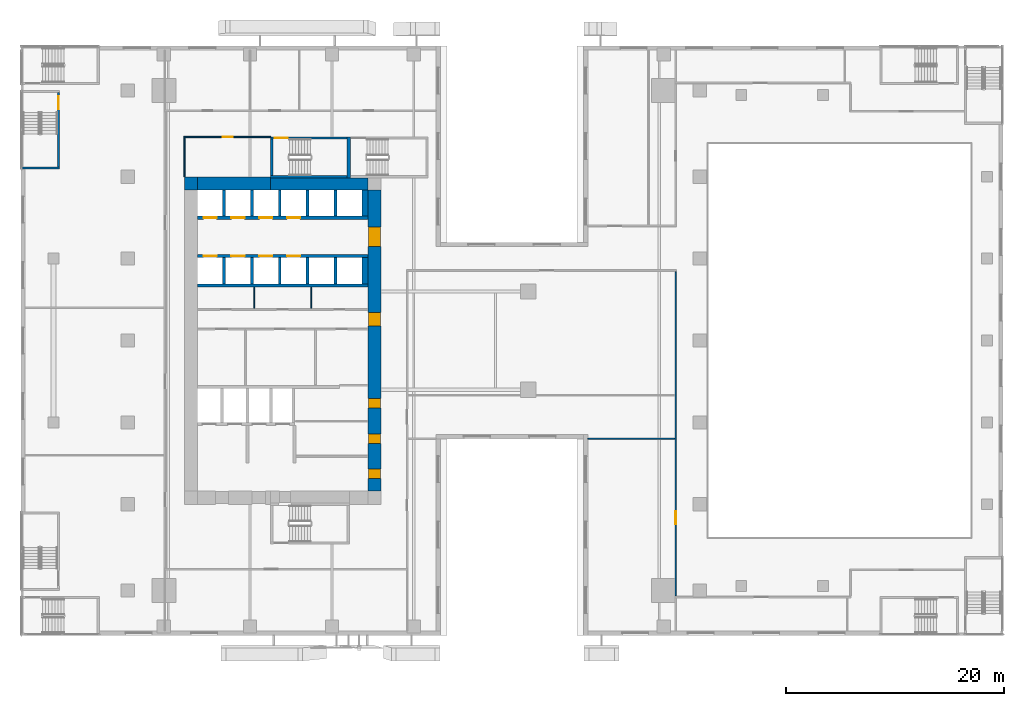
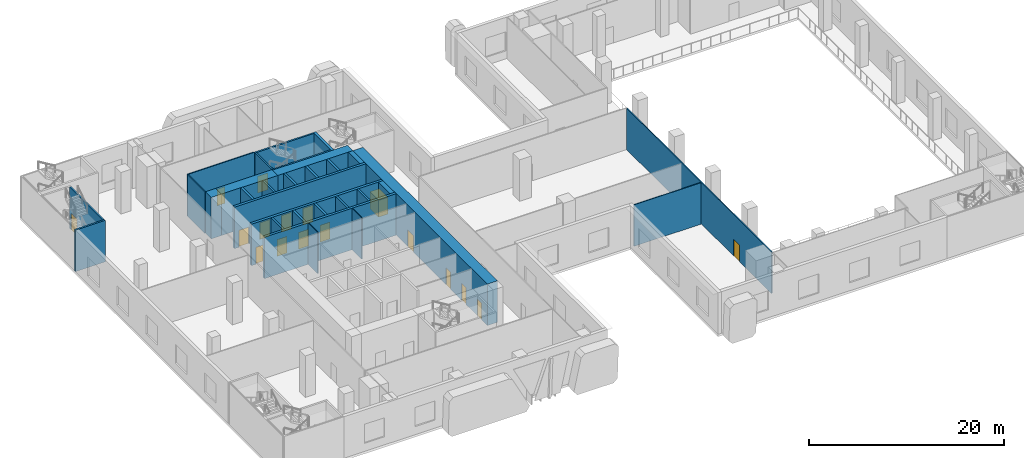
# One storey, part 12 of 23: 31 walls, 17 doors, 17 openings.
"""IFC4 building model written with IfcOpenShell, lengths in metres."""

import ifcopenshell
import ifcopenshell.guid

model = None  # the IFC model being written
_history = None  # IfcOwnerHistory: only IFC2X3 demands one
_inside = {}  # id of a spatial element -> (the spatial element, [elements in it])
_under = {}  # id of a project, library or spatial element -> (it, [spatial elements below it])
_declared = {}  # id of a project -> (the project, [libraries it declares])
_typed = {}  # id of a type object -> (the type object, [elements of that type])
_made_of = {}  # id of a material, layer set ... -> (it, [elements and type objects made of it])


def new_model(schema):
    """Start an empty IFC model of exactly this schema.

    Asked for "IFC4X3", IfcOpenShell would pick the latest addendum, in which some entities
    have other attributes; the version numbers below select the first issue.
    IFC2X3 requires an IfcOwnerHistory on every rooted entity: one is made here for all.
    """
    global model, _history
    if schema == "IFC4X3":
        model = ifcopenshell.file(schema_version=(4, 3, 0, 0))
    else:
        model = ifcopenshell.file(schema=schema)
    _inside.clear()
    _under.clear()
    _declared.clear()
    _typed.clear()
    _made_of.clear()
    _history = None
    if model.schema == "IFC2X3":
        org = make("IfcOrganization", Name="unknown")
        user = make(
            "IfcPersonAndOrganization",
            ThePerson=make("IfcPerson", FamilyName="unknown"),
            TheOrganization=org,
        )
        app = make(
            "IfcApplication",
            ApplicationDeveloper=org,
            Version="unknown",
            ApplicationFullName="unknown",
            ApplicationIdentifier="unknown",
        )
        _history = make(
            "IfcOwnerHistory",
            OwningUser=user,
            OwningApplication=app,
            ChangeAction="ADDED",
            CreationDate=0,
        )
    return model


def make(cls, **values):
    """One entity of the class cls with the attributes given. An attribute that is None is left unset."""
    return model.create_entity(
        cls, **{name: value for name, value in values.items() if value is not None}
    )


def rooted(cls, **values):
    """An entity with a GlobalId (a new one), such as an element, a storey or a relation."""
    return make(cls, GlobalId=ifcopenshell.guid.new(), OwnerHistory=_history, **values)


def si_unit(unit_type, name, prefix=None):
    """IfcSIUnit, for example si_unit("LENGTHUNIT", "METRE", prefix="MILLI")."""
    return make("IfcSIUnit", UnitType=unit_type, Prefix=prefix, Name=name)


def assignment(units):
    """IfcUnitAssignment: the units of a project."""
    return None if units is None else make("IfcUnitAssignment", Units=units)


def point(xyz):
    """IfcCartesianPoint."""
    return None if xyz is None else make("IfcCartesianPoint", Coordinates=xyz)


def direction(xyz):
    """IfcDirection."""
    return None if xyz is None else make("IfcDirection", DirectionRatios=xyz)


def frame(location, z_axis=None, x_axis=None):
    """IfcAxis2Placement3D, a coordinate frame: its origin and axes. An axis left out is left unset."""
    return make(
        "IfcAxis2Placement3D",
        Location=point(location),
        Axis=direction(z_axis),
        RefDirection=direction(x_axis),
    )


def frame_2d(location, x_axis=None):
    """IfcAxis2Placement2D, a coordinate frame in the plane: its origin and x axis."""
    return make(
        "IfcAxis2Placement2D", Location=point(location), RefDirection=direction(x_axis)
    )


def origin():
    """The frame at (0, 0, 0) with its axes left unset."""
    return frame((0.0, 0.0, 0.0))


def place(relative_to, where):
    """IfcLocalPlacement: puts the frame where relative to a parent placement (None: the world)."""
    return make(
        "IfcLocalPlacement", PlacementRelTo=relative_to, RelativePlacement=where
    )


def context(
    kind, dimensions, precision=None, world=None, true_north=None, identifier=None
):
    """IfcGeometricRepresentationContext, for example the 3D "Model" context."""
    return make(
        "IfcGeometricRepresentationContext",
        ContextIdentifier=identifier,
        ContextType=kind,
        CoordinateSpaceDimension=dimensions,
        Precision=precision,
        WorldCoordinateSystem=world,
        TrueNorth=true_north,
    )


def subcontext(parent, identifier, kind, view, scale=None):
    """IfcGeometricRepresentationSubContext, for example "Body" below "Model"."""
    return make(
        "IfcGeometricRepresentationSubContext",
        ContextIdentifier=identifier,
        ContextType=kind,
        ParentContext=parent,
        TargetScale=scale,
        TargetView=view,
    )


def project(units=None, contexts=None):
    """IfcProject with its units and contexts."""
    return rooted(
        "IfcProject",
        Name="project",
        RepresentationContexts=contexts,
        UnitsInContext=assignment(units),
    )


def spatial(cls, under=None, at=None, **own):
    """A site, building, storey or space (cls), placed at a placement, below another one or the project."""
    s = rooted(cls, ObjectPlacement=at, **own)
    if under is not None:
        _under.setdefault(under.id(), (under, []))[1].append(s)
    return s


def profile(cls, at=None, kind="AREA", **sizes):
    """A parametric profile (cls). Its sizes go by their IFC names, for example OverallWidth=200.0."""
    return make(cls, ProfileType=kind, Position=at, **sizes)


def rectangle(**sizes):
    """IfcRectangleProfileDef."""
    return profile("IfcRectangleProfileDef", **sizes)


def extrude(swept, where, along, depth):
    """IfcExtrudedAreaSolid: the profile swept, set in the frame where, extruded along a direction by depth."""
    return make(
        "IfcExtrudedAreaSolid",
        SweptArea=swept,
        Position=where,
        ExtrudedDirection=direction(along),
        Depth=depth,
    )


def shape(context_of_items, identifier, shape_type, items):
    """IfcShapeRepresentation: the items that make up one representation, for example the "Body"."""
    return make(
        "IfcShapeRepresentation",
        ContextOfItems=context_of_items,
        RepresentationIdentifier=identifier,
        RepresentationType=shape_type,
        Items=items,
    )


def source(mapping_origin, context_of_items, identifier, shape_type, items):
    """IfcRepresentationMap: a shape defined once, which mapped items show again and again."""
    return make(
        "IfcRepresentationMap",
        MappingOrigin=mapping_origin,
        MappedRepresentation=shape(context_of_items, identifier, shape_type, items),
    )


def transform(
    local_origin,
    x_axis=None,
    y_axis=None,
    z_axis=None,
    scale=None,
    scale2=None,
    scale3=None,
    uniform=True,
):
    """IfcCartesianTransformationOperator3D, or its non-uniform kind. x_axis, y_axis, z_axis: its Axis1, 2, 3."""
    if uniform:
        return make(
            "IfcCartesianTransformationOperator3D",
            Axis1=direction(x_axis),
            Axis2=direction(y_axis),
            LocalOrigin=point(local_origin),
            Scale=scale,
            Axis3=direction(z_axis),
        )
    return make(
        "IfcCartesianTransformationOperator3DnonUniform",
        Axis1=direction(x_axis),
        Axis2=direction(y_axis),
        LocalOrigin=point(local_origin),
        Scale=scale,
        Axis3=direction(z_axis),
        Scale2=scale2,
        Scale3=scale3,
    )


def mapped(mapping_source, mapping_target):
    """IfcMappedItem: shows the shape of a source again, moved by a transform."""
    return make(
        "IfcMappedItem", MappingSource=mapping_source, MappingTarget=mapping_target
    )


def material(Name=None, Category=None):
    """IfcMaterial."""
    return make("IfcMaterial", Name=Name, Category=Category)


def layer(
    of_material, thickness, ventilated=None, Name=None, Category=None, Priority=None
):
    """IfcMaterialLayer: one layer of a wall or slab, of a material (None: an air gap)."""
    return make(
        "IfcMaterialLayer",
        Material=of_material,
        LayerThickness=thickness,
        IsVentilated=ventilated,
        Name=Name,
        Category=Category,
        Priority=Priority,
    )


def layer_set(layers, Name=None):
    """IfcMaterialLayerSet."""
    return make("IfcMaterialLayerSet", MaterialLayers=layers, LayerSetName=Name)


def made_of(thing, what):
    """Note that an element or type object is made of a material, layer set ...; save() writes the relation."""
    if what is not None:
        _made_of.setdefault(what.id(), (what, []))[1].append(thing)
    return thing


def type_object(cls, material=None, **own):
    """A type object (cls), such as IfcWallType, which elements share."""
    return made_of(rooted(cls, **own), material)


def element(
    cls,
    number,
    at=None,
    inside=None,
    cuts=None,
    type_object=None,
    material=None,
    context=None,
    identifier="Body",
    shape_type=None,
    held_by="IfcProductDefinitionShape",
    body=None,
    shapes=None,
    **own,
):
    """One element of the class cls, such as IfcWall. Its Tag is "e" and its number.

    at: its placement. inside: the storey or other place that contains it. cuts: it is an
    opening in that element (IfcRelVoidsElement). A single representation is given by context,
    identifier, shape_type and body (its items); several are given by shapes. held_by: the class
    of the entity that holds the representations. save() writes the other relations.
    """
    e = rooted(cls, Tag="e%d" % number, ObjectPlacement=at, **own)
    if body is not None:
        shapes = [shape(context, identifier, shape_type, body)]
    if shapes is not None:
        e.Representation = make(held_by, Representations=shapes)
    if inside is not None:
        _inside.setdefault(inside.id(), (inside, []))[1].append(e)
    if cuts is not None:
        rooted(
            "IfcRelVoidsElement", RelatingBuildingElement=cuts, RelatedOpeningElement=e
        )
    if type_object is not None:
        _typed.setdefault(type_object.id(), (type_object, []))[1].append(e)
    return made_of(e, material)


def fill(opening, filler):
    """IfcRelFillsElement: the door or window that sits in an opening."""
    return rooted(
        "IfcRelFillsElement",
        RelatingOpeningElement=opening,
        RelatedBuildingElement=filler,
    )


def aggregate(whole, parts):
    """IfcRelAggregates: a whole, such as a stair, and the parts it consists of."""
    return rooted("IfcRelAggregates", RelatingObject=whole, RelatedObjects=parts)


def save(model, path):
    """Write the relations noted so far, then the file.

    IfcRelAggregates (storeys below a building ...), IfcRelContainedInSpatialStructure (elements
    in a storey), IfcRelDefinesByType, IfcRelAssociatesMaterial and IfcRelDeclares: one each for
    every whole, place, type object, material and project.
    """
    for whole, parts in _under.values():
        aggregate(whole, parts)
    for where, things in _inside.values():
        rooted(
            "IfcRelContainedInSpatialStructure",
            RelatedElements=things,
            RelatingStructure=where,
        )
    for kind, things in _typed.values():
        rooted("IfcRelDefinesByType", RelatedObjects=things, RelatingType=kind)
    for what, things in _made_of.values():
        rooted("IfcRelAssociatesMaterial", RelatedObjects=things, RelatingMaterial=what)
    for by, libraries in _declared.values():
        rooted("IfcRelDeclares", RelatingContext=by, RelatedDefinitions=libraries)
    model.write(path)


model = new_model("IFC4")

# Units and contexts
model_context = context("Model", 3, precision=1e-05, world=origin(), true_north=direction((0.0, 1.0)))
body_context = subcontext(model_context, "Body", "Model", "MODEL_VIEW")
ifc_project = project(units=[si_unit("LENGTHUNIT", "METRE"), si_unit("AREAUNIT", "SQUARE_METRE"), si_unit("VOLUMEUNIT", "CUBIC_METRE"), si_unit("PLANEANGLEUNIT", "RADIAN"), si_unit("MASSUNIT", "GRAM", prefix="KILO")], contexts=[model_context])

# Site, building, storey
site_placement = place(None, origin())
site = spatial("IfcSite", under=ifc_project, at=site_placement, CompositionType="ELEMENT")
building_placement = place(site_placement, origin())
building = spatial("IfcBuilding", under=site, at=building_placement, Name="Khomas Fold Tower", CompositionType="ELEMENT")
storey_placement = place(building_placement, frame((0.0, 0.0, 7.5)))
storey = spatial("IfcBuildingStorey", under=building, at=storey_placement, Name="L01", CompositionType="ELEMENT", Elevation=7.5)

# Walls
ifc_material_1 = material(Name="Concrete C70/85", Category="concrete")
ifc_layer_1 = layer(ifc_material_1, 1.199951171875)
ifc_layer_set_1 = layer_set([ifc_layer_1], Name="Concrete C70/85")
wall_type_1 = type_object("IfcWallType", Name="Core wall 1200", PredefinedType="SHEAR", material=ifc_layer_set_1)
shared_shape_1 = source(origin(), body_context, "Body", "SweptSolid", [
    extrude(rectangle(XDim=6.699951171875, YDim=1.199951171875, at=frame_2d((3.35009765625, 0.0))), origin(), (0.0, 0.0, 1.0), 5.199951171875),
])
wall_1_placement = place(storey_placement, frame((7.199951171875, 41.39990234375, 0.0), z_axis=(0.0, 0.0, 1.0), x_axis=(1.0, 0.0, 0.0)))
element("IfcWall", 1, at=wall_1_placement, inside=storey, type_object=wall_type_1, Name="Core wall CW-L-N-B2", PredefinedType="SHEAR", context=body_context, shape_type="MappedRepresentation", body=[
    mapped(shared_shape_1, transform((0.0, 0.0, 0.0))),
])
ifc_material_2 = material(Name="Concrete C70/85", Category="concrete")
ifc_layer_2 = layer(ifc_material_2, 1.10009765625)
ifc_layer_set_2 = layer_set([ifc_layer_2], Name="Concrete C70/85")
wall_type_2 = type_object("IfcWallType", Name="Core wall 1100", PredefinedType="SHEAR", material=ifc_layer_set_2)
shared_shape_2 = source(origin(), body_context, "Body", "SweptSolid", [
    extrude(rectangle(XDim=8.900146484375, YDim=1.10009765625, at=frame_2d((4.4501953125, 0.0))), origin(), (0.0, 0.0, 1.0), 5.199951171875),
])
wall_2_placement = place(storey_placement, frame((13.89990234375, 41.35009765625, 0.0), z_axis=(0.0, 0.0, 1.0), x_axis=(1.0, 0.0, 0.0)))
element("IfcWall", 2, at=wall_2_placement, inside=storey, type_object=wall_type_2, Name="Core wall CW-L-N-B2-1", PredefinedType="SHEAR", context=body_context, shape_type="MappedRepresentation", body=[
    mapped(shared_shape_2, transform((0.0, 0.0, 0.0))),
])
ifc_material_3 = material(Name="Concrete C70/85", Category="concrete")
ifc_layer_3 = layer(ifc_material_3, 1.199951171875)
ifc_layer_set_3 = layer_set([ifc_layer_3], Name="Concrete C70/85")
wall_type_3 = type_object("IfcWallType", Name="Core corner wall 1200", PredefinedType="SHEAR", material=ifc_layer_set_3)
shared_shape_3 = source(origin(), body_context, "Body", "SweptSolid", [
    extrude(rectangle(XDim=1.199951171875, YDim=1.199951171875, at=frame_2d((0.60009765625, 0.0))), origin(), (0.0, 0.0, 1.0), 5.199951171875),
])
wall_3_placement = place(storey_placement, frame((6.0, 41.39990234375, 0.0), z_axis=(0.0, 0.0, 1.0), x_axis=(1.0, 0.0, 0.0)))
element("IfcWall", 3, at=wall_3_placement, inside=storey, type_object=wall_type_3, Name="Core wall CW-L-NW-B2", PredefinedType="SHEAR", context=body_context, shape_type="MappedRepresentation", body=[
    mapped(shared_shape_3, transform((0.0, 0.0, 0.0))),
])

# Wall, openings, doors
shared_shape_4 = source(origin(), body_context, "Body", "SweptSolid", [
    extrude(rectangle(XDim=27.60009765625, YDim=1.199951171875, at=frame_2d((13.800048828125, 0.0))), origin(), (0.0, 0.0, 1.0), 5.199951171875),
])
wall_4_placement = place(storey_placement, frame((23.39990234375, 13.199951171875, 0.0), z_axis=(0.0, 0.0, 1.0), x_axis=(0.0, 1.0, 0.0)))
wall_4 = element("IfcWall", 4, at=wall_4_placement, inside=storey, type_object=wall_type_1, Name="Core wall CW-L-E-B2", PredefinedType="SHEAR", context=body_context, shape_type="MappedRepresentation", body=[
    mapped(shared_shape_4, transform((0.0, 0.0, 0.0))),
])
shared_shape_5 = source(origin(), body_context, "Body", "SweptSolid", [
    extrude(rectangle(XDim=1.800048828125, YDim=2.10009765625, at=frame_2d((0.89990234375, 1.050048828125))), frame((0.0, 0.60986328125, 0.0), z_axis=(0.0, -1.0, 0.0), x_axis=(1.0, 0.0, 0.0)), (0.0, 0.0, 1.0), 1.219970703125),
])
opening_1_placement = place(wall_4_placement, frame((22.39990234375, 0.0, 0.0)))
opening_1 = element("IfcOpeningElement", 5, at=opening_1_placement, cuts=wall_4, Name="Opening 0015", PredefinedType="OPENING", context=body_context, shape_type="MappedRepresentation", body=[
    mapped(shared_shape_5, transform((0.0, 0.0, 0.0))),
])
shared_shape_6 = source(origin(), body_context, "Body", "SweptSolid", [
    extrude(rectangle(XDim=1.199951171875, YDim=2.10009765625, at=frame_2d((0.60009765625, 1.050048828125))), frame((0.0, 0.60986328125, 0.0), z_axis=(0.0, -1.0, 0.0), x_axis=(1.0, 0.0, 0.0)), (0.0, 0.0, 1.0), 1.219970703125),
])
opening_2_placement = place(wall_4_placement, frame((15.14990234375, 0.0, 0.0)))
opening_2 = element("IfcOpeningElement", 6, at=opening_2_placement, cuts=wall_4, Name="Opening 0001", PredefinedType="OPENING", context=body_context, shape_type="MappedRepresentation", body=[
    mapped(shared_shape_6, transform((0.0, 0.0, 0.0))),
])
shared_shape_7 = source(origin(), body_context, "Body", "SweptSolid", [
    extrude(rectangle(XDim=0.89990234375, YDim=2.10009765625, at=frame_2d((0.449951171875, 1.050048828125))), frame((0.0, 0.60986328125, 0.0), z_axis=(0.0, -1.0, 0.0), x_axis=(1.0, 0.0, 0.0)), (0.0, 0.0, 1.0), 1.219970703125),
])
opening_3_placement = place(wall_4_placement, frame((1.14990234375, 0.0, 0.0)))
opening_3 = element("IfcOpeningElement", 7, at=opening_3_placement, cuts=wall_4, Name="Opening 0003", PredefinedType="OPENING", context=body_context, shape_type="MappedRepresentation", body=[
    mapped(shared_shape_7, transform((0.0, 0.0, 0.0))),
])
opening_4_placement = place(wall_4_placement, frame((4.35009765625, 0.0, 0.0)))
opening_4 = element("IfcOpeningElement", 8, at=opening_4_placement, cuts=wall_4, Name="Opening 0008", PredefinedType="OPENING", context=body_context, shape_type="MappedRepresentation", body=[
    mapped(shared_shape_7, transform((0.0, 0.0, 0.0))),
])
opening_5_placement = place(wall_4_placement, frame((7.60009765625, 0.0, 0.0)))
opening_5 = element("IfcOpeningElement", 9, at=opening_5_placement, cuts=wall_4, Name="Opening 0008", PredefinedType="OPENING", context=body_context, shape_type="MappedRepresentation", body=[
    mapped(shared_shape_7, transform((0.0, 0.0, 0.0))),
])
ifc_material_4 = material(Name="Timber door leaf", Category="wood")
door_type_1 = type_object("IfcDoorType", Name="Door 1200x2100 right-hand", OperationType="SINGLE_SWING_RIGHT", PredefinedType="DOOR", material=ifc_material_4)
shared_shape_8 = source(origin(), body_context, "Body", "SweptSolid", [
    extrude(rectangle(XDim=1.199951171875, YDim=2.10009765625, at=frame_2d((0.60009765625, 1.050048828125))), frame((0.0, 0.5498046875, 0.0), z_axis=(0.0, -1.0, 0.0), x_axis=(1.0, 0.0, 0.0)), (0.0, 0.0, 1.0), 1.099853515625),
])
door_1_placement = place(opening_2_placement, origin())
door_1 = element("IfcDoor", 10, at=door_1_placement, inside=storey, type_object=door_type_1, Name="Door", OperationType="SINGLE_SWING_RIGHT", OverallHeight=2.10009765625, OverallWidth=1.199951171875, PredefinedType="DOOR", context=body_context, shape_type="MappedRepresentation", body=[
    mapped(shared_shape_8, transform((0.0, 0.0, 0.0))),
])
fill(opening_2, door_1)
ifc_material_5 = material(Name="Steel door leaf", Category="steel")
door_type_2 = type_object("IfcDoorType", Name="Plant room door 900x2100 right-hand", OperationType="SINGLE_SWING_RIGHT", PredefinedType="DOOR", material=ifc_material_5)
shared_shape_9 = source(origin(), body_context, "Body", "SweptSolid", [
    extrude(rectangle(XDim=0.89990234375, YDim=2.10009765625, at=frame_2d((0.449951171875, 1.050048828125))), frame((0.0, 0.5498046875, 0.0), z_axis=(0.0, -1.0, 0.0), x_axis=(1.0, 0.0, 0.0)), (0.0, 0.0, 1.0), 1.099853515625),
])
door_2_placement = place(opening_3_placement, origin())
door_2 = element("IfcDoor", 11, at=door_2_placement, inside=storey, type_object=door_type_2, Name="Plant room door", OperationType="SINGLE_SWING_RIGHT", OverallHeight=2.10009765625, OverallWidth=0.89990234375, PredefinedType="DOOR", context=body_context, shape_type="MappedRepresentation", body=[
    mapped(shared_shape_9, transform((0.0, 0.0, 0.0))),
])
fill(opening_3, door_2)
ifc_material_6 = material(Name="Timber door leaf", Category="wood")
door_type_3 = type_object("IfcDoorType", Name="Door 900x2100 right-hand", OperationType="SINGLE_SWING_RIGHT", PredefinedType="DOOR", material=ifc_material_6)
door_3_placement = place(opening_4_placement, origin())
door_3 = element("IfcDoor", 12, at=door_3_placement, inside=storey, type_object=door_type_3, Name="Door", OperationType="SINGLE_SWING_RIGHT", OverallHeight=2.10009765625, OverallWidth=0.89990234375, PredefinedType="DOOR", context=body_context, shape_type="MappedRepresentation", body=[
    mapped(shared_shape_9, transform((0.0, 0.0, 0.0))),
])
fill(opening_4, door_3)
door_4_placement = place(opening_5_placement, origin())
door_4 = element("IfcDoor", 13, at=door_4_placement, inside=storey, type_object=door_type_3, Name="Door", OperationType="SINGLE_SWING_RIGHT", OverallHeight=2.10009765625, OverallWidth=0.89990234375, PredefinedType="DOOR", context=body_context, shape_type="MappedRepresentation", body=[
    mapped(shared_shape_9, transform((0.0, 0.0, 0.0))),
])
fill(opening_5, door_4)
ifc_material_7 = material(Name="Steel door leaf", Category="steel")
door_type_4 = type_object("IfcDoorType", Name="Lobby door 1800x2100", OperationType="DOUBLE_DOOR_SINGLE_SWING", PredefinedType="DOOR", material=ifc_material_7)
shared_shape_10 = source(origin(), body_context, "Body", "SweptSolid", [
    extrude(rectangle(XDim=1.800048828125, YDim=2.10009765625, at=frame_2d((0.89990234375, 1.050048828125))), frame((0.0, 0.5498046875, 0.0), z_axis=(0.0, -1.0, 0.0), x_axis=(1.0, 0.0, 0.0)), (0.0, 0.0, 1.0), 1.099853515625),
])
door_5_placement = place(opening_1_placement, origin())
door_5 = element("IfcDoor", 14, at=door_5_placement, inside=storey, type_object=door_type_4, Name="Lobby door", OperationType="DOUBLE_DOOR_SINGLE_SWING", OverallHeight=2.10009765625, OverallWidth=1.800048828125, PredefinedType="DOOR", context=body_context, shape_type="MappedRepresentation", body=[
    mapped(shared_shape_10, transform((0.0, 0.0, 0.0))),
])
fill(opening_1, door_5)

# Wall, opening, door
ifc_material_8 = material(Name="Concrete C50/60", Category="concrete")
ifc_layer_4 = layer(ifc_material_8, 0.199951171875)
ifc_layer_set_4 = layer_set([ifc_layer_4], Name="Concrete C50/60")
wall_type_4 = type_object("IfcWallType", Name="Stair wall 200", PredefinedType="SHEAR", material=ifc_layer_set_4)
shared_shape_11 = source(origin(), body_context, "Body", "SweptSolid", [
    extrude(rectangle(XDim=7.0, YDim=0.199951171875, at=frame_2d((3.5, 0.0))), origin(), (0.0, 0.0, 1.0), 5.199951171875),
])
wall_5_placement = place(storey_placement, frame((13.89990234375, 45.550048828125, 0.0), z_axis=(0.0, 0.0, 1.0), x_axis=(1.0, 0.0, 0.0)))
wall_5 = element("IfcWall", 15, at=wall_5_placement, inside=storey, type_object=wall_type_4, Name="Stair wall SW-ST1-N", PredefinedType="SHEAR", context=body_context, shape_type="MappedRepresentation", body=[
    mapped(shared_shape_11, transform((0.0, 0.0, 0.0))),
])
shared_shape_12 = source(origin(), body_context, "Body", "SweptSolid", [
    extrude(rectangle(XDim=1.199951171875, YDim=2.10009765625, at=frame_2d((0.60009765625, 1.050048828125))), frame((0.0, 0.10986328125, 0.0), z_axis=(0.0, -1.0, 0.0), x_axis=(1.0, 0.0, 0.0)), (0.0, 0.0, 1.0), 0.219970703125),
])
opening_6_placement = place(wall_5_placement, frame((0.35009765625, 0.0, 0.0)))
opening_6 = element("IfcOpeningElement", 16, at=opening_6_placement, cuts=wall_5, Name="Opening SD-ST1", PredefinedType="OPENING", context=body_context, shape_type="MappedRepresentation", body=[
    mapped(shared_shape_12, transform((0.0, 0.0, 0.0))),
])
ifc_material_9 = material(Name="Steel door leaf", Category="steel")
door_type_5 = type_object("IfcDoorType", Name="Stair door 1200x2100 left-hand", OperationType="SINGLE_SWING_LEFT", PredefinedType="DOOR", material=ifc_material_9)
shared_shape_13 = source(origin(), body_context, "Body", "SweptSolid", [
    extrude(rectangle(XDim=1.199951171875, YDim=2.10009765625, at=frame_2d((0.60009765625, 1.050048828125))), frame((0.0, 0.02490234375, 0.0), z_axis=(0.0, -1.0, 0.0), x_axis=(1.0, 0.0, 0.0)), (0.0, 0.0, 1.0), 0.050048828125),
])
door_6_placement = place(opening_6_placement, origin())
door_6 = element("IfcDoor", 17, at=door_6_placement, inside=storey, type_object=door_type_5, Name="Stair door", OperationType="SINGLE_SWING_LEFT", OverallHeight=2.10009765625, OverallWidth=1.199951171875, PredefinedType="DOOR", context=body_context, shape_type="MappedRepresentation", body=[
    mapped(shared_shape_13, transform((0.0, 0.0, 0.0))),
])
fill(opening_6, door_6)

# Walls
wall_6_placement = place(storey_placement, frame((13.89990234375, 42.0, 0.0), z_axis=(0.0, 0.0, 1.0), x_axis=(1.0, 0.0, 0.0)))
element("IfcWall", 18, at=wall_6_placement, inside=storey, type_object=wall_type_4, Name="Stair wall SW-ST1-S", PredefinedType="SHEAR", context=body_context, shape_type="MappedRepresentation", body=[
    mapped(shared_shape_11, transform((0.0, 0.0, 0.0))),
])
ifc_material_10 = material(Name="Concrete C50/60", Category="concrete")
ifc_layer_5 = layer(ifc_material_10, 0.300048828125)
ifc_layer_set_5 = layer_set([ifc_layer_5], Name="Concrete C50/60")
wall_type_5 = type_object("IfcWallType", Name="Stair wall 300", PredefinedType="SHEAR", material=ifc_layer_set_5)
shared_shape_14 = source(origin(), body_context, "Body", "SweptSolid", [
    extrude(rectangle(XDim=3.75, YDim=0.300048828125, at=frame_2d((1.875, 0.0))), origin(), (0.0, 0.0, 1.0), 5.199951171875),
])
wall_7_placement = place(storey_placement, frame((21.050048828125, 41.89990234375, 0.0), z_axis=(0.0, 0.0, 1.0), x_axis=(0.0, 1.0, 0.0)))
element("IfcWall", 19, at=wall_7_placement, inside=storey, type_object=wall_type_5, Name="Stair wall SW-ST1-E", PredefinedType="SHEAR", context=body_context, shape_type="MappedRepresentation", body=[
    mapped(shared_shape_14, transform((0.0, 0.0, 0.0))),
])
shared_shape_15 = source(origin(), body_context, "Body", "SweptSolid", [
    extrude(rectangle(XDim=3.349853515625, YDim=0.199951171875, at=frame_2d((1.6748046875, 0.0))), origin(), (0.0, 0.0, 1.0), 5.199951171875),
])
wall_8_placement = place(storey_placement, frame((14.0, 42.10009765625, 0.0), z_axis=(0.0, 0.0, 1.0), x_axis=(0.0, 1.0, 0.0)))
element("IfcWall", 20, at=wall_8_placement, inside=storey, type_object=wall_type_4, Name="Stair wall SW-ST1-W", PredefinedType="SHEAR", context=body_context, shape_type="MappedRepresentation", body=[
    mapped(shared_shape_15, transform((0.0, 0.0, 0.0))),
])
ifc_material_11 = material(Name="Concrete C50/60", Category="concrete")
ifc_layer_6 = layer(ifc_material_11, 0.300048828125)
ifc_layer_set_6 = layer_set([ifc_layer_6], Name="Concrete C50/60")
wall_type_6 = type_object("IfcWallType", Name="Shaft wall 300", PredefinedType="STANDARD", material=ifc_layer_set_6)
shared_shape_16 = source(origin(), body_context, "Body", "SweptSolid", [
    extrude(rectangle(XDim=15.60009765625, YDim=0.300048828125, at=frame_2d((7.800048828125, 0.0))), origin(), (0.0, 0.0, 1.0), 5.199951171875),
])
wall_9_placement = place(storey_placement, frame((7.199951171875, 32.050048828125, 0.0), z_axis=(0.0, 0.0, 1.0), x_axis=(1.0, 0.0, 0.0)))
element("IfcWall", 21, at=wall_9_placement, inside=storey, type_object=wall_type_6, Name="Core wall SW-HRN-B", PredefinedType="STANDARD", context=body_context, shape_type="MappedRepresentation", body=[
    mapped(shared_shape_16, transform((0.0, 0.0, 0.0))),
])

# Wall, openings, doors
wall_10_placement = place(storey_placement, frame((7.199951171875, 38.25, 0.0), z_axis=(0.0, 0.0, 1.0), x_axis=(1.0, 0.0, 0.0)))
wall_10 = element("IfcWall", 22, at=wall_10_placement, inside=storey, type_object=wall_type_6, Name="Core wall SW-LRN-F", PredefinedType="STANDARD", context=body_context, shape_type="MappedRepresentation", body=[
    mapped(shared_shape_16, transform((0.0, 0.0, 0.0))),
])
shared_shape_17 = source(origin(), body_context, "Body", "SweptSolid", [
    extrude(rectangle(XDim=1.199951171875, YDim=2.10009765625, at=frame_2d((0.60009765625, 1.050048828125))), frame((0.0, 0.159912109375, 0.0), z_axis=(0.0, -1.0, 0.0), x_axis=(1.0, 0.0, 0.0)), (0.0, 0.0, 1.0), 0.320068359375),
])
opening_7_placement = place(wall_10_placement, frame((0.550048828125, 0.0, 0.0)))
opening_7 = element("IfcOpeningElement", 23, at=opening_7_placement, cuts=wall_10, Name="Opening LD-LR5", PredefinedType="OPENING", context=body_context, shape_type="MappedRepresentation", body=[
    mapped(shared_shape_17, transform((0.0, 0.0, 0.0))),
])
opening_8_placement = place(wall_10_placement, frame((3.10009765625, 0.0, 0.0)))
opening_8 = element("IfcOpeningElement", 24, at=opening_8_placement, cuts=wall_10, Name="Opening LD-LR6", PredefinedType="OPENING", context=body_context, shape_type="MappedRepresentation", body=[
    mapped(shared_shape_17, transform((0.0, 0.0, 0.0))),
])
opening_9_placement = place(wall_10_placement, frame((5.64990234375, 0.0, 0.0)))
opening_9 = element("IfcOpeningElement", 25, at=opening_9_placement, cuts=wall_10, Name="Opening LD-LR7", PredefinedType="OPENING", context=body_context, shape_type="MappedRepresentation", body=[
    mapped(shared_shape_17, transform((0.0, 0.0, 0.0))),
])
opening_10_placement = place(wall_10_placement, frame((8.199951171875, 0.0, 0.0)))
opening_10 = element("IfcOpeningElement", 26, at=opening_10_placement, cuts=wall_10, Name="Opening LD-LR8", PredefinedType="OPENING", context=body_context, shape_type="MappedRepresentation", body=[
    mapped(shared_shape_17, transform((0.0, 0.0, 0.0))),
])
ifc_material_12 = material(Name="Steel door leaf", Category="steel")
door_type_6 = type_object("IfcDoorType", Name="Landing door 1200x2100", OperationType="DOUBLE_DOOR_SLIDING", PredefinedType="DOOR", material=ifc_material_12)
door_7_placement = place(opening_7_placement, origin())
door_7 = element("IfcDoor", 27, at=door_7_placement, inside=storey, type_object=door_type_6, Name="Lift landing door", OperationType="DOUBLE_DOOR_SLIDING", OverallHeight=2.10009765625, OverallWidth=1.199951171875, PredefinedType="DOOR", context=body_context, shape_type="MappedRepresentation", body=[
    mapped(shared_shape_13, transform((0.0, 0.0, 0.0))),
])
fill(opening_7, door_7)
door_8_placement = place(opening_8_placement, origin())
door_8 = element("IfcDoor", 28, at=door_8_placement, inside=storey, type_object=door_type_6, Name="Lift landing door", OperationType="DOUBLE_DOOR_SLIDING", OverallHeight=2.10009765625, OverallWidth=1.199951171875, PredefinedType="DOOR", context=body_context, shape_type="MappedRepresentation", body=[
    mapped(shared_shape_13, transform((0.0, 0.0, 0.0))),
])
fill(opening_8, door_8)
door_9_placement = place(opening_9_placement, origin())
door_9 = element("IfcDoor", 29, at=door_9_placement, inside=storey, type_object=door_type_6, Name="Lift landing door", OperationType="DOUBLE_DOOR_SLIDING", OverallHeight=2.10009765625, OverallWidth=1.199951171875, PredefinedType="DOOR", context=body_context, shape_type="MappedRepresentation", body=[
    mapped(shared_shape_13, transform((0.0, 0.0, 0.0))),
])
fill(opening_9, door_9)
door_10_placement = place(opening_10_placement, origin())
door_10 = element("IfcDoor", 30, at=door_10_placement, inside=storey, type_object=door_type_6, Name="Lift landing door", OperationType="DOUBLE_DOOR_SLIDING", OverallHeight=2.10009765625, OverallWidth=1.199951171875, PredefinedType="DOOR", context=body_context, shape_type="MappedRepresentation", body=[
    mapped(shared_shape_13, transform((0.0, 0.0, 0.0))),
])
fill(opening_10, door_10)

wall_11_placement = place(storey_placement, frame((7.199951171875, 34.75, 0.0), z_axis=(0.0, 0.0, 1.0), x_axis=(1.0, 0.0, 0.0)))
wall_11 = element("IfcWall", 31, at=wall_11_placement, inside=storey, type_object=wall_type_6, Name="Core wall SW-LRS-F", PredefinedType="STANDARD", context=body_context, shape_type="MappedRepresentation", body=[
    mapped(shared_shape_16, transform((0.0, 0.0, 0.0))),
])
opening_11_placement = place(wall_11_placement, frame((0.550048828125, 0.0, 0.0)))
opening_11 = element("IfcOpeningElement", 32, at=opening_11_placement, cuts=wall_11, Name="Opening LD-LR1", PredefinedType="OPENING", context=body_context, shape_type="MappedRepresentation", body=[
    mapped(shared_shape_17, transform((0.0, 0.0, 0.0))),
])
opening_12_placement = place(wall_11_placement, frame((3.10009765625, 0.0, 0.0)))
opening_12 = element("IfcOpeningElement", 33, at=opening_12_placement, cuts=wall_11, Name="Opening LD-LR2", PredefinedType="OPENING", context=body_context, shape_type="MappedRepresentation", body=[
    mapped(shared_shape_17, transform((0.0, 0.0, 0.0))),
])
opening_13_placement = place(wall_11_placement, frame((5.64990234375, 0.0, 0.0)))
opening_13 = element("IfcOpeningElement", 34, at=opening_13_placement, cuts=wall_11, Name="Opening LD-LR3", PredefinedType="OPENING", context=body_context, shape_type="MappedRepresentation", body=[
    mapped(shared_shape_17, transform((0.0, 0.0, 0.0))),
])
opening_14_placement = place(wall_11_placement, frame((8.199951171875, 0.0, 0.0)))
opening_14 = element("IfcOpeningElement", 35, at=opening_14_placement, cuts=wall_11, Name="Opening LD-LR4", PredefinedType="OPENING", context=body_context, shape_type="MappedRepresentation", body=[
    mapped(shared_shape_17, transform((0.0, 0.0, 0.0))),
])
door_11_placement = place(opening_11_placement, origin())
door_11 = element("IfcDoor", 36, at=door_11_placement, inside=storey, type_object=door_type_6, Name="Lift landing door", OperationType="DOUBLE_DOOR_SLIDING", OverallHeight=2.10009765625, OverallWidth=1.199951171875, PredefinedType="DOOR", context=body_context, shape_type="MappedRepresentation", body=[
    mapped(shared_shape_13, transform((0.0, 0.0, 0.0))),
])
fill(opening_11, door_11)
door_12_placement = place(opening_12_placement, origin())
door_12 = element("IfcDoor", 37, at=door_12_placement, inside=storey, type_object=door_type_6, Name="Lift landing door", OperationType="DOUBLE_DOOR_SLIDING", OverallHeight=2.10009765625, OverallWidth=1.199951171875, PredefinedType="DOOR", context=body_context, shape_type="MappedRepresentation", body=[
    mapped(shared_shape_13, transform((0.0, 0.0, 0.0))),
])
fill(opening_12, door_12)
door_13_placement = place(opening_13_placement, origin())
door_13 = element("IfcDoor", 38, at=door_13_placement, inside=storey, type_object=door_type_6, Name="Lift landing door", OperationType="DOUBLE_DOOR_SLIDING", OverallHeight=2.10009765625, OverallWidth=1.199951171875, PredefinedType="DOOR", context=body_context, shape_type="MappedRepresentation", body=[
    mapped(shared_shape_13, transform((0.0, 0.0, 0.0))),
])
fill(opening_13, door_13)
door_14_placement = place(opening_14_placement, origin())
door_14 = element("IfcDoor", 39, at=door_14_placement, inside=storey, type_object=door_type_6, Name="Lift landing door", OperationType="DOUBLE_DOOR_SLIDING", OverallHeight=2.10009765625, OverallWidth=1.199951171875, PredefinedType="DOOR", context=body_context, shape_type="MappedRepresentation", body=[
    mapped(shared_shape_13, transform((0.0, 0.0, 0.0))),
])
fill(opening_14, door_14)

# Walls
ifc_material_13 = material(Name="Concrete C50/60", Category="concrete")
ifc_layer_7 = layer(ifc_material_13, 0.25)
ifc_layer_set_7 = layer_set([ifc_layer_7], Name="Concrete C50/60")
wall_type_7 = type_object("IfcWallType", Name="Shaft wall 250", PredefinedType="STANDARD", material=ifc_layer_set_7)
shared_shape_18 = source(origin(), body_context, "Body", "SweptSolid", [
    extrude(rectangle(XDim=2.400146484375, YDim=0.25, at=frame_2d((1.2001953125, 0.0))), origin(), (0.0, 0.0, 1.0), 5.199951171875),
])
for number, where, z_axis, x_axis, name in (
    (40, (9.625, 38.39990234375, 0.0), (0.0, 0.0, 1.0), (0.0, 1.0, 0.0), "Core wall SW-LRN-P1"),
    (41, (12.175048828125, 38.39990234375, 0.0), (0.0, 0.0, 1.0), (0.0, 1.0, 0.0), "Core wall SW-LRN-P2"),
    (42, (14.72509765625, 38.39990234375, 0.0), (0.0, 0.0, 1.0), (0.0, 1.0, 0.0), "Core wall SW-LRN-P3"),
    (43, (17.27490234375, 38.39990234375, 0.0), (0.0, 0.0, 1.0), (0.0, 1.0, 0.0), "Core wall SW-LRN-P4"),
    (44, (19.824951171875, 38.39990234375, 0.0), (0.0, 0.0, 1.0), (0.0, 1.0, 0.0), "Core wall SW-LRN-P5"),
    (45, (9.625, 32.199951171875, 0.0), (0.0, 0.0, 1.0), (0.0, 1.0, 0.0), "Core wall SW-LRS-P1"),
    (46, (12.175048828125, 32.199951171875, 0.0), (0.0, 0.0, 1.0), (0.0, 1.0, 0.0), "Core wall SW-LRS-P2"),
    (47, (14.72509765625, 32.199951171875, 0.0), (0.0, 0.0, 1.0), (0.0, 1.0, 0.0), "Core wall SW-LRS-P3"),
    (48, (17.27490234375, 32.199951171875, 0.0), (0.0, 0.0, 1.0), (0.0, 1.0, 0.0), "Core wall SW-LRS-P4"),
    (49, (19.824951171875, 32.199951171875, 0.0), (0.0, 0.0, 1.0), (0.0, 1.0, 0.0), "Core wall SW-LRS-P5"),
):
    element("IfcWall", number, at=place(storey_placement, frame(where, z_axis=z_axis, x_axis=x_axis)), inside=storey, type_object=wall_type_7, Name=name, PredefinedType="STANDARD", context=body_context, shape_type="MappedRepresentation", body=[
        mapped(shared_shape_18, transform((0.0, 0.0, 0.0))),
    ])
ifc_material_14 = material(Name="Concrete C50/60", Category="concrete")
ifc_layer_8 = layer(ifc_material_14, 0.550048828125)
ifc_layer_set_8 = layer_set([ifc_layer_8], Name="Concrete C50/60")
wall_type_8 = type_object("IfcWallType", Name="Shaft wall 550", PredefinedType="STANDARD", material=ifc_layer_set_8)
shared_shape_19 = source(origin(), body_context, "Body", "SweptSolid", [
    extrude(rectangle(XDim=2.400146484375, YDim=0.550048828125, at=frame_2d((1.2001953125, 0.0))), origin(), (0.0, 0.0, 1.0), 5.199951171875),
])
for number, where, z_axis, x_axis, name in (
    (50, (22.52490234375, 38.39990234375, 0.0), (0.0, 0.0, 1.0), (0.0, 1.0, 0.0), "Core wall SW-LRN-PE"),
    (51, (22.52490234375, 32.199951171875, 0.0), (0.0, 0.0, 1.0), (0.0, 1.0, 0.0), "Core wall SW-LRS-PE"),
):
    element("IfcWall", number, at=place(storey_placement, frame(where, z_axis=z_axis, x_axis=x_axis)), inside=storey, type_object=wall_type_8, Name=name, PredefinedType="STANDARD", context=body_context, shape_type="MappedRepresentation", body=[
        mapped(shared_shape_19, transform((0.0, 0.0, 0.0))),
    ])
ifc_material_15 = material(Name="Concrete C30/37", Category="concrete")
ifc_layer_9 = layer(ifc_material_15, 0.199951171875)
ifc_layer_set_9 = layer_set([ifc_layer_9], Name="Concrete C30/37")
wall_type_9 = type_object("IfcWallType", Name="Stair wall PW5 200", PredefinedType="PARTITIONING", material=ifc_layer_set_9)
shared_shape_20 = source(origin(), body_context, "Body", "SweptSolid", [
    extrude(rectangle(XDim=3.550048828125, YDim=0.199951171875, at=frame_2d((1.77490234375, 0.0))), origin(), (0.0, 0.0, 1.0), 5.199951171875),
])
wall_12_placement = place(storey_placement, frame((-9.0, 42.800048828125, 0.0), z_axis=(0.0, 0.0, 1.0), x_axis=(1.0, 0.0, 0.0)))
element("IfcWall", 52, at=wall_12_placement, inside=storey, type_object=wall_type_9, Name="Stair wall", PredefinedType="PARTITIONING", context=body_context, shape_type="MappedRepresentation", body=[
    mapped(shared_shape_20, transform((0.0, 0.0, 0.0))),
])

# Wall, opening, door
shared_shape_21 = source(origin(), body_context, "Body", "SweptSolid", [
    extrude(rectangle(XDim=6.800048828125, YDim=0.199951171875, at=frame_2d((3.39990234375, 0.0))), origin(), (0.0, 0.0, 1.0), 5.199951171875),
])
wall_13_placement = place(storey_placement, frame((-5.550048828125, 42.89990234375, 0.0), z_axis=(0.0, 0.0, 1.0), x_axis=(0.0, 1.0, 0.0)))
wall_13 = element("IfcWall", 53, at=wall_13_placement, inside=storey, type_object=wall_type_9, Name="Stair wall", PredefinedType="PARTITIONING", context=body_context, shape_type="MappedRepresentation", body=[
    mapped(shared_shape_21, transform((0.0, 0.0, 0.0))),
])
opening_15_placement = place(wall_13_placement, frame((5.300048828125, 0.0, 0.0)))
opening_15 = element("IfcOpeningElement", 54, at=opening_15_placement, cuts=wall_13, Name="Opening 0017", PredefinedType="OPENING", context=body_context, shape_type="MappedRepresentation", body=[
    mapped(shared_shape_12, transform((0.0, 0.0, 0.0))),
])
door_15_placement = place(opening_15_placement, origin())
door_15 = element("IfcDoor", 55, at=door_15_placement, inside=storey, type_object=door_type_5, Name="Stair door", OperationType="SINGLE_SWING_LEFT", OverallHeight=2.10009765625, OverallWidth=1.199951171875, PredefinedType="DOOR", context=body_context, shape_type="MappedRepresentation", body=[
    mapped(shared_shape_13, transform((0.0, 0.0, 0.0))),
])
fill(opening_15, door_15)

ifc_material_16 = material(Name="Plasterboard partition")
ifc_layer_10 = layer(ifc_material_16, 0.125)
ifc_layer_set_10 = layer_set([ifc_layer_10], Name="Plasterboard partition")
wall_type_10 = type_object("IfcWallType", Name="Partition PW2 125", PredefinedType="PARTITIONING", material=ifc_layer_set_10)
shared_shape_22 = source(origin(), body_context, "Body", "SweptSolid", [
    extrude(rectangle(XDim=29.699951171875, YDim=0.125, at=frame_2d((14.85009765625, 0.0))), origin(), (0.0, 0.0, 1.0), 5.199951171875),
])
wall_14_placement = place(storey_placement, frame((51.0, 3.60009765625, 0.0), z_axis=(0.0, 0.0, 1.0), x_axis=(0.0, 1.0, 0.0)))
wall_14 = element("IfcWall", 56, at=wall_14_placement, inside=storey, type_object=wall_type_10, Name="Partition", PredefinedType="PARTITIONING", context=body_context, shape_type="MappedRepresentation", body=[
    mapped(shared_shape_22, transform((0.0, 0.0, 0.0))),
])
shared_shape_23 = source(origin(), body_context, "Body", "SweptSolid", [
    extrude(rectangle(XDim=1.199951171875, YDim=2.10009765625, at=frame_2d((0.60009765625, 1.050048828125))), frame((0.0, 0.072509765625, 0.0), z_axis=(0.0, -1.0, 0.0), x_axis=(1.0, 0.0, 0.0)), (0.0, 0.0, 1.0), 0.14501953125),
])
opening_16_placement = place(wall_14_placement, frame((6.550048828125, 0.0, 0.0)))
opening_16 = element("IfcOpeningElement", 57, at=opening_16_placement, cuts=wall_14, Name="Opening 0001", PredefinedType="OPENING", context=body_context, shape_type="MappedRepresentation", body=[
    mapped(shared_shape_23, transform((0.0, 0.0, 0.0))),
])
door_16_placement = place(opening_16_placement, origin())
door_16 = element("IfcDoor", 58, at=door_16_placement, inside=storey, type_object=door_type_1, Name="Door", OperationType="SINGLE_SWING_RIGHT", OverallHeight=2.10009765625, OverallWidth=1.199951171875, PredefinedType="DOOR", context=body_context, shape_type="MappedRepresentation", body=[
    mapped(shared_shape_13, transform((0.0, 0.0, 0.0))),
])
fill(opening_16, door_16)

# Walls
ifc_material_17 = material(Name="Plasterboard partition")
ifc_layer_11 = layer(ifc_material_17, 0.10009765625)
ifc_layer_set_11 = layer_set([ifc_layer_11], Name="Plasterboard partition")
wall_type_11 = type_object("IfcWallType", Name="Partition PW1 100", PredefinedType="PARTITIONING", material=ifc_layer_set_11)
shared_shape_24 = source(origin(), body_context, "Body", "SweptSolid", [
    extrude(rectangle(XDim=7.949951171875, YDim=0.10009765625, at=frame_2d((3.97509765625, 0.0))), origin(), (0.0, 0.0, 1.0), 5.199951171875),
])
wall_15_placement = place(storey_placement, frame((42.949951171875, 18.0, 0.0), z_axis=(0.0, 0.0, 1.0), x_axis=(1.0, 0.0, 0.0)))
element("IfcWall", 59, at=wall_15_placement, inside=storey, type_object=wall_type_11, Name="Partition", PredefinedType="PARTITIONING", context=body_context, shape_type="MappedRepresentation", body=[
    mapped(shared_shape_24, transform((0.0, 0.0, 0.0))),
])
shared_shape_25 = source(origin(), body_context, "Body", "SweptSolid", [
    extrude(rectangle(XDim=1.949951171875, YDim=0.10009765625, at=frame_2d((0.97509765625, 0.0))), origin(), (0.0, 0.0, 1.0), 5.199951171875),
])
for number, where, z_axis, x_axis, name in (
    (60, (12.39990234375, 29.949951171875, 0.0), (0.0, 0.0, 1.0), (0.0, 1.0, 0.0), "Partition"),
    (61, (17.60009765625, 29.949951171875, 0.0), (0.0, 0.0, 1.0), (0.0, 1.0, 0.0), "Partition"),
):
    element("IfcWall", number, at=place(storey_placement, frame(where, z_axis=z_axis, x_axis=x_axis)), inside=storey, type_object=wall_type_11, Name=name, PredefinedType="PARTITIONING", context=body_context, shape_type="MappedRepresentation", body=[
        mapped(shared_shape_25, transform((0.0, 0.0, 0.0))),
    ])
shared_shape_26 = source(origin(), body_context, "Body", "SweptSolid", [
    extrude(rectangle(XDim=3.550048828125, YDim=0.125, at=frame_2d((1.77490234375, 0.0))), origin(), (0.0, 0.0, 1.0), 5.199951171875),
])
wall_16_placement = place(storey_placement, frame((6.0, 42.0, 0.0), z_axis=(0.0, 0.0, 1.0), x_axis=(0.0, 1.0, 0.0)))
element("IfcWall", 62, at=wall_16_placement, inside=storey, type_object=wall_type_10, Name="Partition", PredefinedType="PARTITIONING", context=body_context, shape_type="MappedRepresentation", body=[
    mapped(shared_shape_26, transform((0.0, 0.0, 0.0))),
])

# Wall, opening, door
shared_shape_27 = source(origin(), body_context, "Body", "SweptSolid", [
    extrude(rectangle(XDim=7.949951171875, YDim=0.125, at=frame_2d((3.97509765625, 0.0))), origin(), (0.0, 0.0, 1.0), 5.199951171875),
])
wall_17_placement = place(storey_placement, frame((5.949951171875, 45.64990234375, 0.0), z_axis=(0.0, 0.0, 1.0), x_axis=(1.0, 0.0, 0.0)))
wall_17 = element("IfcWall", 63, at=wall_17_placement, inside=storey, type_object=wall_type_10, Name="Partition", PredefinedType="PARTITIONING", context=body_context, shape_type="MappedRepresentation", body=[
    mapped(shared_shape_27, transform((0.0, 0.0, 0.0))),
])
shared_shape_28 = source(origin(), body_context, "Body", "SweptSolid", [
    extrude(rectangle(XDim=0.89990234375, YDim=2.10009765625, at=frame_2d((0.449951171875, 1.050048828125))), frame((0.0, 0.072509765625, 0.0), z_axis=(0.0, -1.0, 0.0), x_axis=(1.0, 0.0, 0.0)), (0.0, 0.0, 1.0), 0.14501953125),
])
opening_17_placement = place(wall_17_placement, frame((3.550048828125, 0.0, 0.0)))
opening_17 = element("IfcOpeningElement", 64, at=opening_17_placement, cuts=wall_17, Name="Opening 0008", PredefinedType="OPENING", context=body_context, shape_type="MappedRepresentation", body=[
    mapped(shared_shape_28, transform((0.0, 0.0, 0.0))),
])
shared_shape_29 = source(origin(), body_context, "Body", "SweptSolid", [
    extrude(rectangle(XDim=0.89990234375, YDim=2.10009765625, at=frame_2d((0.449951171875, 1.050048828125))), frame((0.0, 0.02490234375, 0.0), z_axis=(0.0, -1.0, 0.0), x_axis=(1.0, 0.0, 0.0)), (0.0, 0.0, 1.0), 0.050048828125),
])
door_17_placement = place(opening_17_placement, origin())
door_17 = element("IfcDoor", 65, at=door_17_placement, inside=storey, type_object=door_type_3, Name="Door", OperationType="SINGLE_SWING_RIGHT", OverallHeight=2.10009765625, OverallWidth=0.89990234375, PredefinedType="DOOR", context=body_context, shape_type="MappedRepresentation", body=[
    mapped(shared_shape_29, transform((0.0, 0.0, 0.0))),
])
fill(opening_17, door_17)

save(model, "model.ifc")
